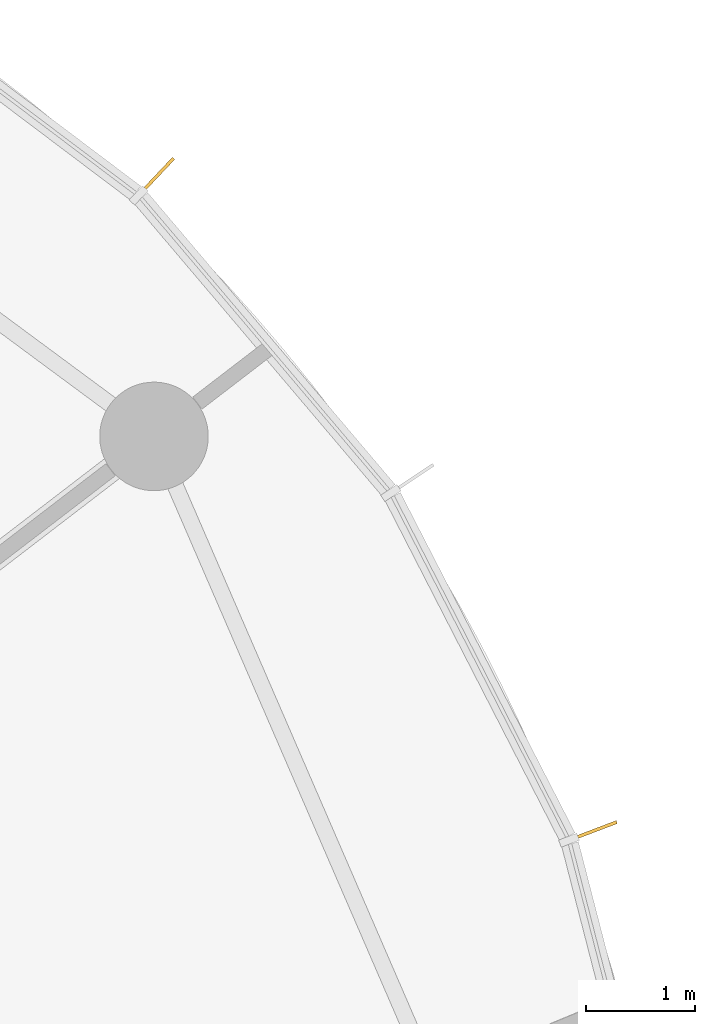
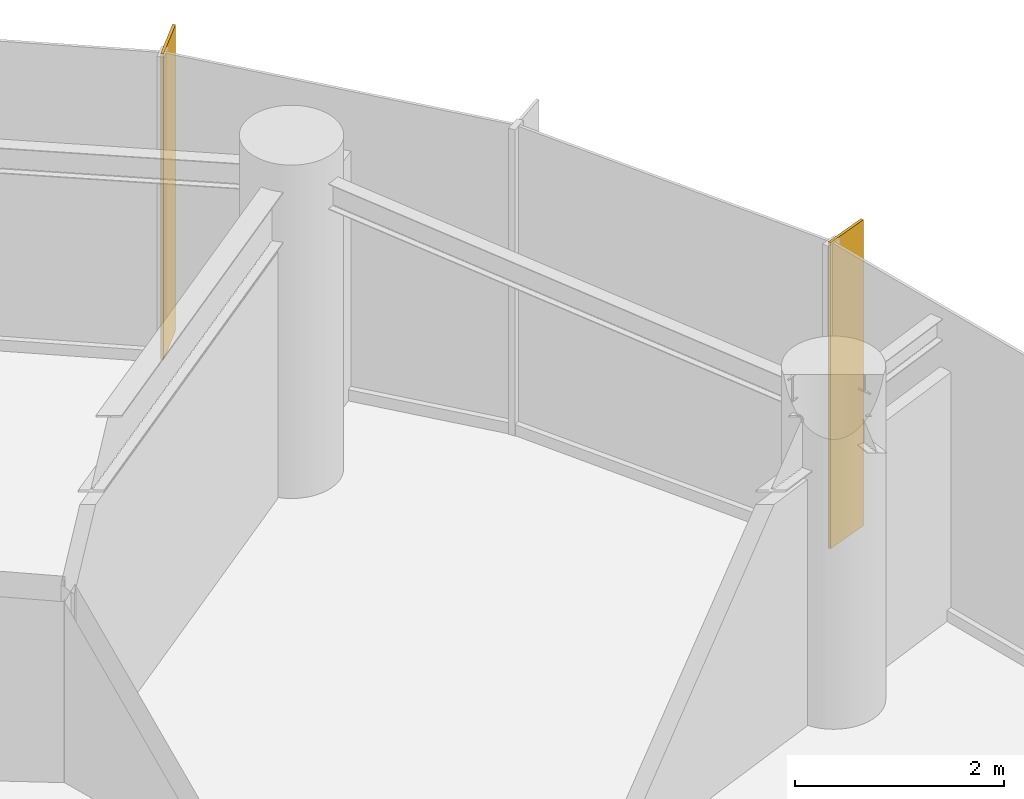
# One storey, part 14 of 14: 2 shading devices.
"""IFC4 building model written with IfcOpenShell, lengths in metres."""

from ifc_helpers import new_model, si_unit, direction, frame, origin, origin_2d, place, context, subcontext, project, spatial, rectangle, extrude, source, transform, mapped, material, material_profile, profile_set, type_object, element, save


model = new_model("IFC4")

# Units and contexts
model_context = context("Model", 3, precision=1e-05, world=origin(), true_north=direction((0.0, 1.0)))
body_context = subcontext(model_context, "Body", "Model", "MODEL_VIEW")
ifc_project = project(units=[si_unit("LENGTHUNIT", "METRE"), si_unit("AREAUNIT", "SQUARE_METRE"), si_unit("VOLUMEUNIT", "CUBIC_METRE"), si_unit("PLANEANGLEUNIT", "RADIAN"), si_unit("MASSUNIT", "GRAM", prefix="KILO")], contexts=[model_context])

# Site, building, storey
site_placement = place(None, origin())
site = spatial("IfcSite", under=ifc_project, at=site_placement, CompositionType="ELEMENT")
building_placement = place(site_placement, origin())
building = spatial("IfcBuilding", under=site, at=building_placement, Name="Spindrift Exchange Tower", CompositionType="ELEMENT")
storey_placement = place(building_placement, frame((0.0, 0.0, 140.89990234375)))
storey = spatial("IfcBuildingStorey", under=building, at=storey_placement, Name="L33", CompositionType="ELEMENT", Elevation=140.89990234375)

# Shading devices
ifc_material = material(Name="Bronze anodised aluminium", Category="aluminium")
ifc_material_profile = material_profile(ifc_material, rectangle(XDim=0.030029296875, YDim=0.5, at=origin_2d()), Name="WIND FIN 30X500")
ifc_profile_set = profile_set([ifc_material_profile], Name="Bronze anodised aluminium")
shading_device_type = type_object("IfcShadingDeviceType", Name="WIND FIN 30X500", PredefinedType="USERDEFINED", material=ifc_profile_set)
shared_shape = source(origin(), body_context, "Body", "SweptSolid", [
    extrude(rectangle(XDim=0.030029296875, YDim=0.5, at=origin_2d()), origin(), (0.0, 0.0, 1.0), 3.580078125),
])
for number, where, z_axis, x_axis, name in (
    (1, (71.83544921875, 65.59375, 0.0), (0.0, 0.0, 1.0), (-0.727063757838, 0.686569946938, 0.0), "L33 wind fin 3"),
    (2, (75.855712890625, 59.5712890625, 0.0), (0.0, 0.0, 1.0), (-0.355227696262, 0.934779804985, 0.0), "L33 wind fin 4"),
):
    element("IfcShadingDevice", number, at=place(storey_placement, frame(where, z_axis=z_axis, x_axis=x_axis)), inside=storey, type_object=shading_device_type, Name=name, ObjectType="FIN", PredefinedType="USERDEFINED", context=body_context, shape_type="MappedRepresentation", body=[
        mapped(shared_shape, transform((0.0, 0.0, 0.0), scale=1.0)),
    ])

save(model, "model.ifc")
